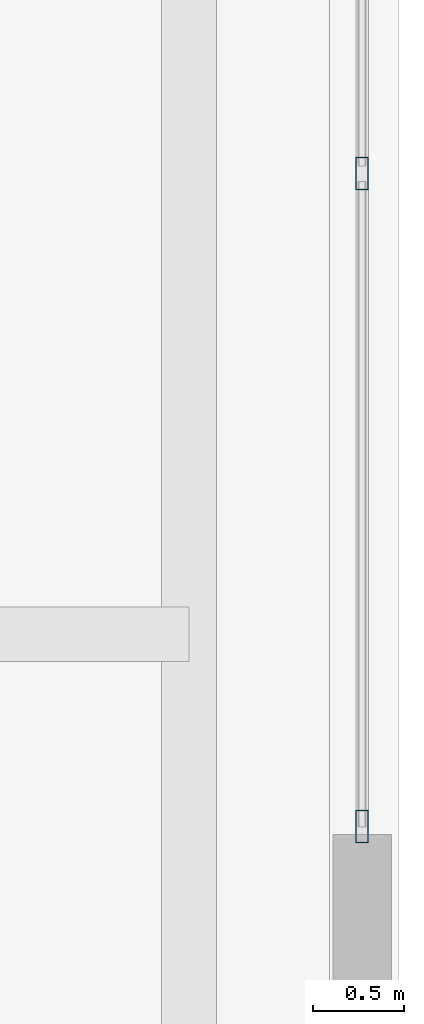
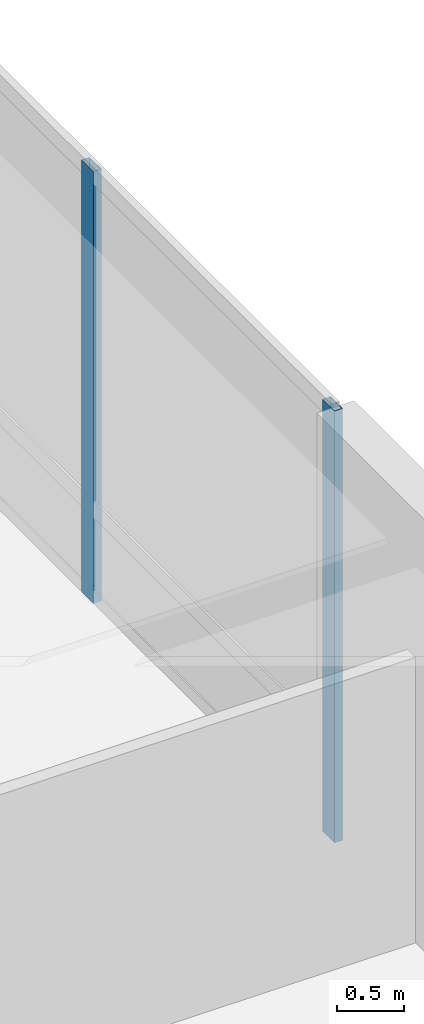
# One storey, part 16 of 51: 2 members, 1 element without a shape of its own.
"""IFC4 building model written with IfcOpenShell, lengths in metres."""

from ifc_helpers import new_model, si_unit, direction, frame, origin, origin_2d, place, context, subcontext, project, spatial, hollow_rectangle, extrude, material, material_profile, profile_set, type_object, element, aggregate, save


model = new_model("IFC4")

# Units and contexts
model_context = context("Model", 3, precision=1e-05, world=origin(), true_north=direction((0.0, 1.0)))
body_context = subcontext(model_context, "Body", "Model", "MODEL_VIEW")
ifc_project = project(units=[si_unit("LENGTHUNIT", "METRE"), si_unit("AREAUNIT", "SQUARE_METRE"), si_unit("VOLUMEUNIT", "CUBIC_METRE"), si_unit("PLANEANGLEUNIT", "RADIAN"), si_unit("MASSUNIT", "GRAM", prefix="KILO")], contexts=[model_context])

# Site, building, storey
site_placement = place(None, origin())
site = spatial("IfcSite", under=ifc_project, at=site_placement, CompositionType="ELEMENT")
building_placement = place(site_placement, origin())
building = spatial("IfcBuilding", under=site, at=building_placement, Name="Punatoya Terracotta Tower", CompositionType="ELEMENT")
storey_placement = place(building_placement, frame((0.0, 0.0, 313.199951171875)))
storey = spatial("IfcBuildingStorey", under=building, at=storey_placement, Name="L74", CompositionType="ELEMENT", Elevation=313.199951171875)

# Curtain wall, members
ifc_material_1 = material(Name="Aluminium 6063-T6 + Double Low-E Glass", Category="aluminium")
curtain_wall_type = type_object("IfcCurtainWallType", Name="CW-M3", PredefinedType="NOTDEFINED", material=ifc_material_1)
curtain_wall_placement = place(storey_placement, origin())
curtain_wall = element("IfcCurtainWall", 1, at=curtain_wall_placement, inside=storey, type_object=curtain_wall_type, Name="L74 Curtain Wall CW-L74-E05-1", PredefinedType="NOTDEFINED")
ifc_material_2 = material(Name="Aluminium 6063-T6", Category="aluminium")
ifc_material_profile = material_profile(ifc_material_2, hollow_rectangle(XDim=0.070068359375, YDim=0.179931640625, WallThickness=0.00390625, at=origin_2d()))
ifc_profile_set = profile_set([ifc_material_profile], Name="Aluminium 6063-T6")
member_type = type_object("IfcMemberType", Name="CW-MUL-M3", PredefinedType="MULLION", material=ifc_profile_set)
member_1_placement = place(storey_placement, frame((20.050048828125, -10.2548828125, 0.0), z_axis=(0.0, 0.0, 1.0), x_axis=(1.0, 0.0, 0.0)))
member_1 = element("IfcMember", 2, at=member_1_placement, type_object=member_type, Name="CW-L74-E05-1 Mullion 00", PredefinedType="MULLION", context=body_context, shape_type="SweptSolid", body=[
    extrude(hollow_rectangle(XDim=0.070068359375, YDim=0.179931640625, WallThickness=0.00390625, at=origin_2d()), origin(), (0.0, 0.0, 1.0), 3.920166015625),
])
member_2_placement = place(storey_placement, frame((20.050048828125, -6.67138671875, 0.0), z_axis=(0.0, 0.0, 1.0), x_axis=(1.0, 0.0, 0.0)))
member_2 = element("IfcMember", 3, at=member_2_placement, type_object=member_type, Name="CW-L74-E05-1 Mullion 01", PredefinedType="MULLION", context=body_context, shape_type="SweptSolid", body=[
    extrude(hollow_rectangle(XDim=0.070068359375, YDim=0.179931640625, WallThickness=0.00390625, at=origin_2d()), origin(), (0.0, 0.0, 1.0), 3.920166015625),
])
aggregate(curtain_wall, [member_1, member_2])

save(model, "model.ifc")
